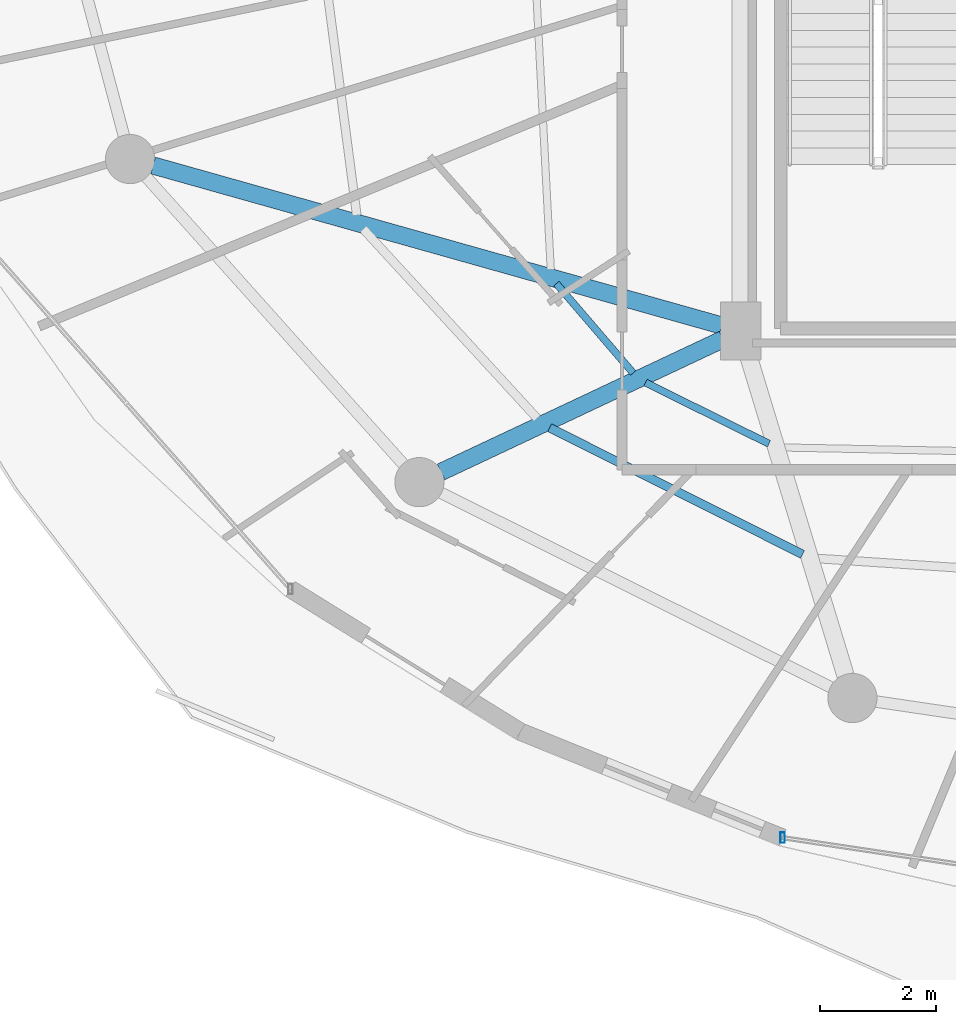
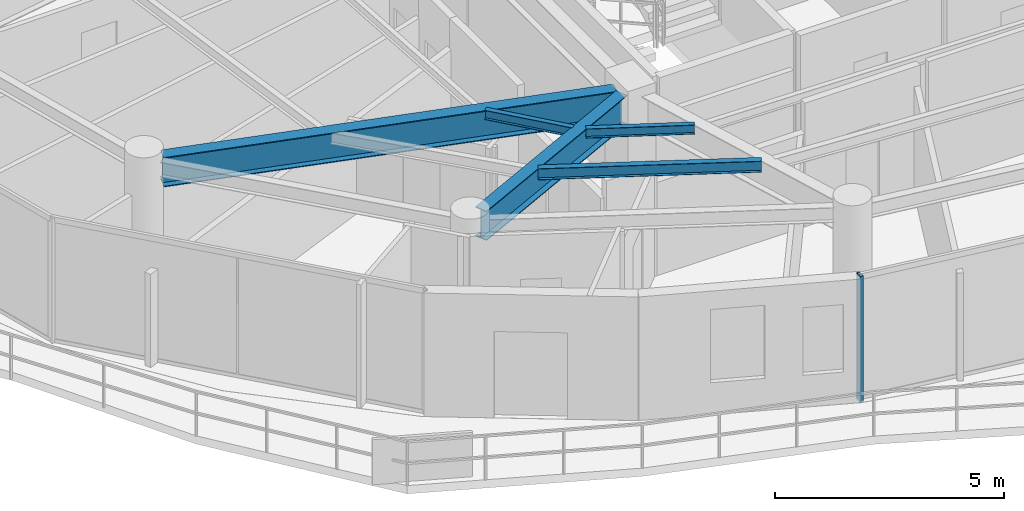
# One storey, part 4 of 31: 5 beams, 1 member, 1 element without a shape of its own.
"""IFC4 building model written with IfcOpenShell, lengths in metres."""

from ifc_helpers import new_model, si_unit, direction, frame, origin, origin_2d, place, context, subcontext, project, spatial, hollow_rectangle, i_section, extrude, material, material_profile, profile_set, type_object, element, aggregate, save


model = new_model("IFC4")

# Units and contexts
model_context = context("Model", 3, precision=1e-05, world=origin(), true_north=direction((0.0, 1.0)))
body_context = subcontext(model_context, "Body", "Model", "MODEL_VIEW")
ifc_project = project(units=[si_unit("LENGTHUNIT", "METRE"), si_unit("AREAUNIT", "SQUARE_METRE"), si_unit("VOLUMEUNIT", "CUBIC_METRE"), si_unit("PLANEANGLEUNIT", "RADIAN"), si_unit("MASSUNIT", "GRAM", prefix="KILO")], contexts=[model_context])

# Site, building, storey
site_placement = place(None, origin())
site = spatial("IfcSite", under=ifc_project, at=site_placement, CompositionType="ELEMENT")
building_placement = place(site_placement, origin())
building = spatial("IfcBuilding", under=site, at=building_placement, Name="Vorneva Point Tower", CompositionType="ELEMENT")
storey_placement = place(building_placement, frame((0.0, 0.0, 248.449951171875)))
storey = spatial("IfcBuildingStorey", under=building, at=storey_placement, Name="L67", CompositionType="ELEMENT", Elevation=248.449951171875)

# Beams
ifc_material_1 = material(Name="Steel S355", Category="steel")
ifc_material_profile_1 = material_profile(ifc_material_1, i_section(OverallWidth=0.300048828125, OverallDepth=0.7880859375, WebThickness=0.014404296875, FlangeThickness=0.02197265625, at=origin_2d()), Name="80Sh1")
ifc_profile_set_1 = profile_set([ifc_material_profile_1], Name="Steel S355")
beam_type_1 = type_object("IfcBeamType", Name="BM-GRD-80Sh1", PredefinedType="USERDEFINED", material=ifc_profile_set_1)
beam_1_placement = place(storey_placement, frame((17.102294921875, 19.305908203125, 2.89599609375), z_axis=(0.962601026021, -0.270922986664, 0.0), x_axis=(0.270922986664, 0.962601026021, 0.0)))
element("IfcBeam", 1, at=beam_1_placement, inside=storey, type_object=beam_type_1, Name="L67 Radial Primary Girder 10", ObjectType="GIRDER", PredefinedType="USERDEFINED", context=body_context, shape_type="SweptSolid", body=[
    extrude(i_section(OverallWidth=0.300048828125, OverallDepth=0.7880859375, WebThickness=0.014404296875, FlangeThickness=0.02197265625, at=origin_2d()), origin(), (0.0, 0.0, 1.0), 10.201904296875),
])
beam_2_placement = place(storey_placement, frame((22.074951171875, 14.013671875, 2.89599609375), z_axis=(0.904750812805, 0.425941271455, 0.0), x_axis=(-0.425941271455, 0.904750812805, 0.0)))
element("IfcBeam", 2, at=beam_2_placement, inside=storey, type_object=beam_type_1, Name="L67 Radial Primary Girder 11", ObjectType="GIRDER", PredefinedType="USERDEFINED", context=body_context, shape_type="SweptSolid", body=[
    extrude(i_section(OverallWidth=0.300048828125, OverallDepth=0.7880859375, WebThickness=0.014404296875, FlangeThickness=0.02197265625, at=origin_2d()), origin(), (0.0, 0.0, 1.0), 5.3798828125),
])
ifc_material_profile_2 = material_profile(ifc_material_1, i_section(OverallWidth=0.1240234375, OverallDepth=0.248046875, WebThickness=0.0048828125, FlangeThickness=0.008056640625, at=origin_2d()), Name="25B1")
ifc_profile_set_2 = profile_set([ifc_material_profile_2], Name="Steel S355")
beam_type_2 = type_object("IfcBeamType", Name="BM-JST-25B1", PredefinedType="JOIST", material=ifc_profile_set_2)
beam_3_placement = place(storey_placement, frame((24.06640625, 17.2666015625, 3.166015625), z_axis=(0.651452972558, -0.758689017019, 0.0), x_axis=(0.758689017019, 0.651452972558, 0.0)))
element("IfcBeam", 3, at=beam_3_placement, inside=storey, type_object=beam_type_2, Name="L67 Secondary Floor Beam 2.10", PredefinedType="JOIST", context=body_context, shape_type="SweptSolid", body=[
    extrude(i_section(OverallWidth=0.1240234375, OverallDepth=0.248046875, WebThickness=0.0048828125, FlangeThickness=0.008056640625, at=origin_2d()), origin(), (0.0, 0.0, 1.0), 2.035400390625),
])
beam_4_placement = place(storey_placement, frame((25.605712890625, 15.556396484375, 3.166015625), z_axis=(0.896082897708, -0.443886742803, 0.0), x_axis=(0.443886742803, 0.896082897708, 0.0)))
element("IfcBeam", 4, at=beam_4_placement, inside=storey, type_object=beam_type_2, Name="L67 Secondary Floor Beam 2.11", PredefinedType="JOIST", context=body_context, shape_type="SweptSolid", body=[
    extrude(i_section(OverallWidth=0.1240234375, OverallDepth=0.248046875, WebThickness=0.0048828125, FlangeThickness=0.008056640625, at=origin_2d()), origin(), (0.0, 0.0, 1.0), 2.3798828125),
])
ifc_material_profile_3 = material_profile(ifc_material_1, i_section(OverallWidth=0.14892578125, OverallDepth=0.298095703125, WebThickness=0.005615234375, FlangeThickness=0.008056640625, at=origin_2d()), Name="30B1")
ifc_profile_set_3 = profile_set([ifc_material_profile_3], Name="Steel S355")
beam_type_3 = type_object("IfcBeamType", Name="BM-JST-30B1", PredefinedType="JOIST", material=ifc_profile_set_3)
beam_5_placement = place(storey_placement, frame((23.95068359375, 14.77685546875, 3.14111328125), z_axis=(0.894207228659, -0.447653249975, 0.0), x_axis=(0.447653249975, 0.894207228659, 0.0)))
element("IfcBeam", 5, at=beam_5_placement, inside=storey, type_object=beam_type_3, Name="L67 Secondary Floor Beam 1.11", PredefinedType="JOIST", context=body_context, shape_type="SweptSolid", body=[
    extrude(i_section(OverallWidth=0.14892578125, OverallDepth=0.298095703125, WebThickness=0.005615234375, FlangeThickness=0.008056640625, at=origin_2d()), origin(), (0.0, 0.0, 1.0), 4.885986328125),
])

# Curtain wall, member
ifc_material_2 = material(Name="Pale anodised aluminium", Category="aluminium")
curtain_wall_type = type_object("IfcCurtainWallType", Name="CW-RES-SYS", PredefinedType="NOTDEFINED", material=ifc_material_2)
curtain_wall_placement = place(storey_placement, origin())
curtain_wall = element("IfcCurtainWall", 6, at=curtain_wall_placement, inside=storey, type_object=curtain_wall_type, Name="L67 Unitised Curtain Wall CW-L67-R04", PredefinedType="NOTDEFINED")
ifc_material_profile_4 = material_profile(ifc_material_2, hollow_rectangle(XDim=0.074951171875, YDim=0.179931640625, WallThickness=0.00390625, at=origin_2d()), Name="AL-MUL 180x75x4")
ifc_profile_set_4 = profile_set([ifc_material_profile_4], Name="Pale anodised aluminium")
member_type = type_object("IfcMemberType", Name="CW-MUL-180", PredefinedType="MULLION", material=ifc_profile_set_4)
member_placement = place(storey_placement, frame((27.9736328125, 7.697998046875, -0.0400390625), z_axis=(0.0, 0.0, 1.0), x_axis=(1.0, 0.0, 0.0)))
member = element("IfcMember", 7, at=member_placement, type_object=member_type, Name="CW-L67-R04 Mullion 01", PredefinedType="MULLION", context=body_context, shape_type="SweptSolid", body=[
    extrude(hollow_rectangle(XDim=0.074951171875, YDim=0.179931640625, WallThickness=0.00390625, at=origin_2d()), origin(), (0.0, 0.0, 1.0), 3.360107421875),
])
aggregate(curtain_wall, [member])

save(model, "model.ifc")
